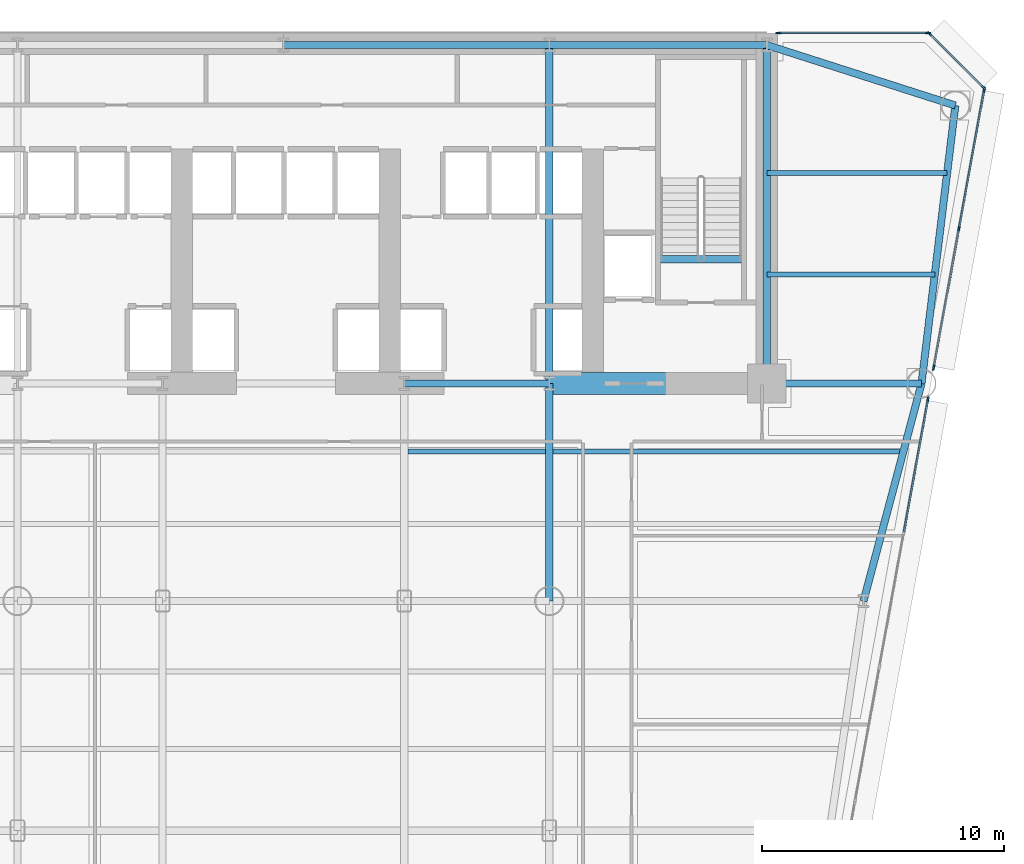
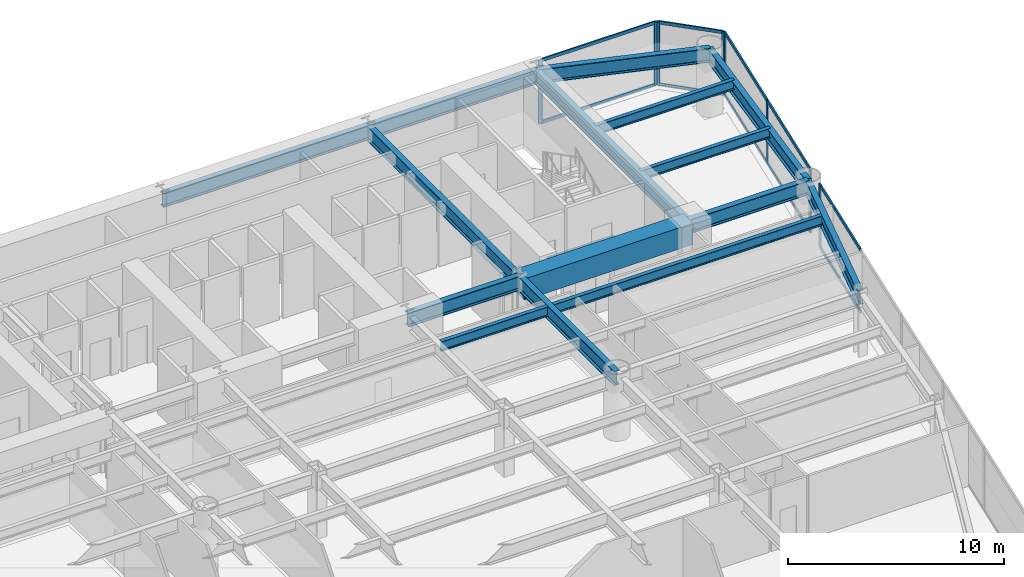
# One storey, part 6 of 14: 18 members, 16 beams, 4 elements without a shape of their own.
"""IFC4 building model written with IfcOpenShell, lengths in metres."""

import ifcopenshell
import ifcopenshell.guid

model = None  # the IFC model being written
_history = None  # IfcOwnerHistory: only IFC2X3 demands one
_inside = {}  # id of a spatial element -> (the spatial element, [elements in it])
_under = {}  # id of a project, library or spatial element -> (it, [spatial elements below it])
_declared = {}  # id of a project -> (the project, [libraries it declares])
_typed = {}  # id of a type object -> (the type object, [elements of that type])
_made_of = {}  # id of a material, layer set ... -> (it, [elements and type objects made of it])


def new_model(schema):
    """Start an empty IFC model of exactly this schema.

    Asked for "IFC4X3", IfcOpenShell would pick the latest addendum, in which some entities
    have other attributes; the version numbers below select the first issue.
    IFC2X3 requires an IfcOwnerHistory on every rooted entity: one is made here for all.
    """
    global model, _history
    if schema == "IFC4X3":
        model = ifcopenshell.file(schema_version=(4, 3, 0, 0))
    else:
        model = ifcopenshell.file(schema=schema)
    _inside.clear()
    _under.clear()
    _declared.clear()
    _typed.clear()
    _made_of.clear()
    _history = None
    if model.schema == "IFC2X3":
        org = make("IfcOrganization", Name="unknown")
        user = make(
            "IfcPersonAndOrganization",
            ThePerson=make("IfcPerson", FamilyName="unknown"),
            TheOrganization=org,
        )
        app = make(
            "IfcApplication",
            ApplicationDeveloper=org,
            Version="unknown",
            ApplicationFullName="unknown",
            ApplicationIdentifier="unknown",
        )
        _history = make(
            "IfcOwnerHistory",
            OwningUser=user,
            OwningApplication=app,
            ChangeAction="ADDED",
            CreationDate=0,
        )
    return model


def make(cls, **values):
    """One entity of the class cls with the attributes given. An attribute that is None is left unset."""
    return model.create_entity(
        cls, **{name: value for name, value in values.items() if value is not None}
    )


def rooted(cls, **values):
    """An entity with a GlobalId (a new one), such as an element, a storey or a relation."""
    return make(cls, GlobalId=ifcopenshell.guid.new(), OwnerHistory=_history, **values)


def si_unit(unit_type, name, prefix=None):
    """IfcSIUnit, for example si_unit("LENGTHUNIT", "METRE", prefix="MILLI")."""
    return make("IfcSIUnit", UnitType=unit_type, Prefix=prefix, Name=name)


def assignment(units):
    """IfcUnitAssignment: the units of a project."""
    return None if units is None else make("IfcUnitAssignment", Units=units)


def point(xyz):
    """IfcCartesianPoint."""
    return None if xyz is None else make("IfcCartesianPoint", Coordinates=xyz)


def direction(xyz):
    """IfcDirection."""
    return None if xyz is None else make("IfcDirection", DirectionRatios=xyz)


def frame(location, z_axis=None, x_axis=None):
    """IfcAxis2Placement3D, a coordinate frame: its origin and axes. An axis left out is left unset."""
    return make(
        "IfcAxis2Placement3D",
        Location=point(location),
        Axis=direction(z_axis),
        RefDirection=direction(x_axis),
    )


def frame_2d(location, x_axis=None):
    """IfcAxis2Placement2D, a coordinate frame in the plane: its origin and x axis."""
    return make(
        "IfcAxis2Placement2D", Location=point(location), RefDirection=direction(x_axis)
    )


def origin():
    """The frame at (0, 0, 0) with its axes left unset."""
    return frame((0.0, 0.0, 0.0))


def origin_2d():
    """The frame at (0, 0) in the plane with its x axis left unset."""
    return frame_2d((0.0, 0.0))


def place(relative_to, where):
    """IfcLocalPlacement: puts the frame where relative to a parent placement (None: the world)."""
    return make(
        "IfcLocalPlacement", PlacementRelTo=relative_to, RelativePlacement=where
    )


def context(
    kind, dimensions, precision=None, world=None, true_north=None, identifier=None
):
    """IfcGeometricRepresentationContext, for example the 3D "Model" context."""
    return make(
        "IfcGeometricRepresentationContext",
        ContextIdentifier=identifier,
        ContextType=kind,
        CoordinateSpaceDimension=dimensions,
        Precision=precision,
        WorldCoordinateSystem=world,
        TrueNorth=true_north,
    )


def subcontext(parent, identifier, kind, view, scale=None):
    """IfcGeometricRepresentationSubContext, for example "Body" below "Model"."""
    return make(
        "IfcGeometricRepresentationSubContext",
        ContextIdentifier=identifier,
        ContextType=kind,
        ParentContext=parent,
        TargetScale=scale,
        TargetView=view,
    )


def project(units=None, contexts=None):
    """IfcProject with its units and contexts."""
    return rooted(
        "IfcProject",
        Name="project",
        RepresentationContexts=contexts,
        UnitsInContext=assignment(units),
    )


def spatial(cls, under=None, at=None, **own):
    """A site, building, storey or space (cls), placed at a placement, below another one or the project."""
    s = rooted(cls, ObjectPlacement=at, **own)
    if under is not None:
        _under.setdefault(under.id(), (under, []))[1].append(s)
    return s


def profile(cls, at=None, kind="AREA", **sizes):
    """A parametric profile (cls). Its sizes go by their IFC names, for example OverallWidth=200.0."""
    return make(cls, ProfileType=kind, Position=at, **sizes)


def rectangle(**sizes):
    """IfcRectangleProfileDef."""
    return profile("IfcRectangleProfileDef", **sizes)


def i_section(**sizes):
    """IfcIShapeProfileDef."""
    return profile("IfcIShapeProfileDef", **sizes)


def extrude(swept, where, along, depth):
    """IfcExtrudedAreaSolid: the profile swept, set in the frame where, extruded along a direction by depth."""
    return make(
        "IfcExtrudedAreaSolid",
        SweptArea=swept,
        Position=where,
        ExtrudedDirection=direction(along),
        Depth=depth,
    )


def shape(context_of_items, identifier, shape_type, items):
    """IfcShapeRepresentation: the items that make up one representation, for example the "Body"."""
    return make(
        "IfcShapeRepresentation",
        ContextOfItems=context_of_items,
        RepresentationIdentifier=identifier,
        RepresentationType=shape_type,
        Items=items,
    )


def source(mapping_origin, context_of_items, identifier, shape_type, items):
    """IfcRepresentationMap: a shape defined once, which mapped items show again and again."""
    return make(
        "IfcRepresentationMap",
        MappingOrigin=mapping_origin,
        MappedRepresentation=shape(context_of_items, identifier, shape_type, items),
    )


def transform(
    local_origin,
    x_axis=None,
    y_axis=None,
    z_axis=None,
    scale=None,
    scale2=None,
    scale3=None,
    uniform=True,
):
    """IfcCartesianTransformationOperator3D, or its non-uniform kind. x_axis, y_axis, z_axis: its Axis1, 2, 3."""
    if uniform:
        return make(
            "IfcCartesianTransformationOperator3D",
            Axis1=direction(x_axis),
            Axis2=direction(y_axis),
            LocalOrigin=point(local_origin),
            Scale=scale,
            Axis3=direction(z_axis),
        )
    return make(
        "IfcCartesianTransformationOperator3DnonUniform",
        Axis1=direction(x_axis),
        Axis2=direction(y_axis),
        LocalOrigin=point(local_origin),
        Scale=scale,
        Axis3=direction(z_axis),
        Scale2=scale2,
        Scale3=scale3,
    )


def mapped(mapping_source, mapping_target):
    """IfcMappedItem: shows the shape of a source again, moved by a transform."""
    return make(
        "IfcMappedItem", MappingSource=mapping_source, MappingTarget=mapping_target
    )


def material(Name=None, Category=None):
    """IfcMaterial."""
    return make("IfcMaterial", Name=Name, Category=Category)


def layer(
    of_material, thickness, ventilated=None, Name=None, Category=None, Priority=None
):
    """IfcMaterialLayer: one layer of a wall or slab, of a material (None: an air gap)."""
    return make(
        "IfcMaterialLayer",
        Material=of_material,
        LayerThickness=thickness,
        IsVentilated=ventilated,
        Name=Name,
        Category=Category,
        Priority=Priority,
    )


def layer_set(layers, Name=None):
    """IfcMaterialLayerSet."""
    return make("IfcMaterialLayerSet", MaterialLayers=layers, LayerSetName=Name)


def material_profile(
    of_material, cross_section, Name=None, Category=None, Priority=None
):
    """IfcMaterialProfile: a cross section and its material."""
    return make(
        "IfcMaterialProfile",
        Name=Name,
        Material=of_material,
        Profile=cross_section,
        Priority=Priority,
        Category=Category,
    )


def profile_set(profiles, Name=None, composite=None):
    """IfcMaterialProfileSet."""
    return make(
        "IfcMaterialProfileSet",
        Name=Name,
        MaterialProfiles=profiles,
        CompositeProfile=composite,
    )


def made_of(thing, what):
    """Note that an element or type object is made of a material, layer set ...; save() writes the relation."""
    if what is not None:
        _made_of.setdefault(what.id(), (what, []))[1].append(thing)
    return thing


def type_object(cls, material=None, **own):
    """A type object (cls), such as IfcWallType, which elements share."""
    return made_of(rooted(cls, **own), material)


def element(
    cls,
    number,
    at=None,
    inside=None,
    cuts=None,
    type_object=None,
    material=None,
    context=None,
    identifier="Body",
    shape_type=None,
    held_by="IfcProductDefinitionShape",
    body=None,
    shapes=None,
    **own,
):
    """One element of the class cls, such as IfcWall. Its Tag is "e" and its number.

    at: its placement. inside: the storey or other place that contains it. cuts: it is an
    opening in that element (IfcRelVoidsElement). A single representation is given by context,
    identifier, shape_type and body (its items); several are given by shapes. held_by: the class
    of the entity that holds the representations. save() writes the other relations.
    """
    e = rooted(cls, Tag="e%d" % number, ObjectPlacement=at, **own)
    if body is not None:
        shapes = [shape(context, identifier, shape_type, body)]
    if shapes is not None:
        e.Representation = make(held_by, Representations=shapes)
    if inside is not None:
        _inside.setdefault(inside.id(), (inside, []))[1].append(e)
    if cuts is not None:
        rooted(
            "IfcRelVoidsElement", RelatingBuildingElement=cuts, RelatedOpeningElement=e
        )
    if type_object is not None:
        _typed.setdefault(type_object.id(), (type_object, []))[1].append(e)
    return made_of(e, material)


def aggregate(whole, parts):
    """IfcRelAggregates: a whole, such as a stair, and the parts it consists of."""
    return rooted("IfcRelAggregates", RelatingObject=whole, RelatedObjects=parts)


def save(model, path):
    """Write the relations noted so far, then the file.

    IfcRelAggregates (storeys below a building ...), IfcRelContainedInSpatialStructure (elements
    in a storey), IfcRelDefinesByType, IfcRelAssociatesMaterial and IfcRelDeclares: one each for
    every whole, place, type object, material and project.
    """
    for whole, parts in _under.values():
        aggregate(whole, parts)
    for where, things in _inside.values():
        rooted(
            "IfcRelContainedInSpatialStructure",
            RelatedElements=things,
            RelatingStructure=where,
        )
    for kind, things in _typed.values():
        rooted("IfcRelDefinesByType", RelatedObjects=things, RelatingType=kind)
    for what, things in _made_of.values():
        rooted("IfcRelAssociatesMaterial", RelatedObjects=things, RelatingMaterial=what)
    for by, libraries in _declared.values():
        rooted("IfcRelDeclares", RelatingContext=by, RelatedDefinitions=libraries)
    model.write(path)


model = new_model("IFC4")

# Units and contexts
model_context = context("Model", 3, precision=1e-05, world=origin(), true_north=direction((0.0, 1.0)))
body_context = subcontext(model_context, "Body", "Model", "MODEL_VIEW")
ifc_project = project(units=[si_unit("LENGTHUNIT", "METRE"), si_unit("AREAUNIT", "SQUARE_METRE"), si_unit("VOLUMEUNIT", "CUBIC_METRE"), si_unit("PLANEANGLEUNIT", "RADIAN"), si_unit("MASSUNIT", "GRAM", prefix="KILO")], contexts=[model_context])

# Site, building, storey
site_placement = place(None, origin())
site = spatial("IfcSite", under=ifc_project, at=site_placement, CompositionType="ELEMENT")
building_placement = place(site_placement, origin())
building = spatial("IfcBuilding", under=site, at=building_placement, Name="Vaeldorn Concourse Tower", CompositionType="ELEMENT")
storey_placement = place(building_placement, frame((0.0, 0.0, 22.60009765625)))
storey = spatial("IfcBuildingStorey", under=building, at=storey_placement, Name="L05", CompositionType="ELEMENT", Elevation=22.60009765625)

# Beams
ifc_material_1 = material(Name="Concrete C60/75", Category="concrete")
ifc_material_profile_1 = material_profile(ifc_material_1, rectangle(XDim=0.89990234375, YDim=1.199951171875, at=origin_2d()), Name="RC 900x1200")
ifc_profile_set_1 = profile_set([ifc_material_profile_1], Name="Concrete C60/75")
beam_type_1 = type_object("IfcBeamType", Name="BM-CB-RC900", PredefinedType="BEAM", material=ifc_profile_set_1)
shared_shape_1 = source(origin(), body_context, "Body", "SweptSolid", [
    extrude(rectangle(XDim=0.89990234375, YDim=1.199951171875, at=origin_2d()), origin(), (0.0, 0.0, 1.0), 9.0),
])
beam_1_placement = place(storey_placement, frame((45.0, 36.5, 2.97998046875), z_axis=(1.0, 0.0, 0.0), x_axis=(0.0, 1.0, 0.0)))
element("IfcBeam", 1, at=beam_1_placement, inside=storey, type_object=beam_type_1, Name="Core Coupling Beam L05-2", PredefinedType="BEAM", context=body_context, shape_type="MappedRepresentation", body=[
    mapped(shared_shape_1, transform((0.0, 0.0, 0.0), scale=1.0)),
])
ifc_material_2 = material(Name="Steel S355", Category="steel")
ifc_material_profile_2 = material_profile(ifc_material_2, i_section(OverallWidth=0.300048828125, OverallDepth=0.340087890625, WebThickness=0.011962890625, FlangeThickness=0.021484375, FilletRadius=0.027099609375, at=origin_2d()), Name="HEB 340")
ifc_profile_set_2 = profile_set([ifc_material_profile_2], Name="Steel S355")
beam_type_2 = type_object("IfcBeamType", Name="BM-ST-TRIM", PredefinedType="BEAM", material=ifc_profile_set_2)
shared_shape_2 = source(origin(), body_context, "Body", "SweptSolid", [
    extrude(i_section(OverallWidth=0.300048828125, OverallDepth=0.340087890625, WebThickness=0.011962890625, FlangeThickness=0.021484375, FilletRadius=0.027099609375, at=origin_2d()), origin(), (0.0, 0.0, 1.0), 3.590087890625),
])
beam_2_placement = place(storey_placement, frame((49.47998046875, 41.639892578125, -0.39013671875), z_axis=(1.0, 0.0, 0.0), x_axis=(0.0, 1.0, 0.0)))
element("IfcBeam", 2, at=beam_2_placement, inside=storey, type_object=beam_type_2, Name="Stair Landing Trimmer Beam ST-2 L05", PredefinedType="BEAM", context=body_context, shape_type="MappedRepresentation", body=[
    mapped(shared_shape_2, transform((0.0, 0.0, 0.0), scale=1.0)),
])
ifc_material_profile_3 = material_profile(ifc_material_2, i_section(OverallWidth=0.300048828125, OverallDepth=0.800048828125, WebThickness=0.017578125, FlangeThickness=0.032958984375, FilletRadius=0.030029296875, at=origin_2d()), Name="HEB 800")
ifc_profile_set_3 = profile_set([ifc_material_profile_3], Name="Steel S355")
beam_type_3 = type_object("IfcBeamType", Name="BM-PG-HEB800", PredefinedType="BEAM", material=ifc_profile_set_3)
shared_shape_3 = source(origin(), body_context, "Body", "SweptSolid", [
    extrude(i_section(OverallWidth=0.300048828125, OverallDepth=0.800048828125, WebThickness=0.017578125, FlangeThickness=0.032958984375, FilletRadius=0.030029296875, at=origin_2d()), origin(), (0.0, 0.0, 1.0), 6.0),
])
beam_3_placement = place(storey_placement, frame((39.0, 36.5, 3.179931640625), z_axis=(1.0, 0.0, 0.0), x_axis=(0.0, 1.0, 0.0)))
element("IfcBeam", 3, at=beam_3_placement, inside=storey, type_object=beam_type_3, Name="Beam BM-L05-C-FC4-C-FC5", PredefinedType="BEAM", context=body_context, shape_type="MappedRepresentation", body=[
    mapped(shared_shape_3, transform((0.0, 0.0, 0.0), scale=1.0)),
])
shared_shape_4 = source(origin(), body_context, "Body", "SweptSolid", [
    extrude(i_section(OverallWidth=0.300048828125, OverallDepth=0.800048828125, WebThickness=0.017578125, FlangeThickness=0.032958984375, FilletRadius=0.030029296875, at=origin_2d()), origin(), (0.0, 0.0, 1.0), 9.0),
])
for number, where, z_axis, x_axis, name in (
    (4, (45.0, 50.5, 3.179931640625), (1.0, 0.0, 0.0), (0.0, 1.0, 0.0), "Beam BM-L05-C-HC4-C-HC5"),
    (5, (45.0, 27.5, 3.179931640625), (0.0, 1.0, 0.0), (-1.0, 0.0, 0.0), "Beam BM-L05-C-TW4-C-FC5"),
):
    element("IfcBeam", number, at=place(storey_placement, frame(where, z_axis=z_axis, x_axis=x_axis)), inside=storey, type_object=beam_type_3, Name=name, PredefinedType="BEAM", context=body_context, shape_type="MappedRepresentation", body=[
        mapped(shared_shape_4, transform((0.0, 0.0, 0.0), scale=1.0)),
    ])
shared_shape_5 = source(origin(), body_context, "Body", "SweptSolid", [
    extrude(i_section(OverallWidth=0.300048828125, OverallDepth=0.800048828125, WebThickness=0.017578125, FlangeThickness=0.032958984375, FilletRadius=0.030029296875, at=origin_2d()), origin(), (0.0, 0.0, 1.0), 11.0),
])
beam_4_placement = place(storey_placement, frame((34.0, 50.5, 3.179931640625), z_axis=(1.0, 0.0, 0.0), x_axis=(0.0, 1.0, 0.0)))
element("IfcBeam", 6, at=beam_4_placement, inside=storey, type_object=beam_type_3, Name="Beam BM-L05-C-HC3-C-HC4", PredefinedType="BEAM", context=body_context, shape_type="MappedRepresentation", body=[
    mapped(shared_shape_5, transform((0.0, 0.0, 0.0), scale=1.0)),
])
shared_shape_6 = source(origin(), body_context, "Body", "SweptSolid", [
    extrude(i_section(OverallWidth=0.300048828125, OverallDepth=0.800048828125, WebThickness=0.017578125, FlangeThickness=0.032958984375, FilletRadius=0.030029296875, at=origin_2d()), origin(), (0.0, 0.0, 1.0), 14.0),
])
for number, where, z_axis, x_axis, name in (
    (7, (45.0, 36.5, 3.179931640625), (0.0, 1.0, 0.0), (-1.0, 0.0, 0.0), "Beam BM-L05-C-FC5-C-HC4"),
    (8, (54.0, 36.5, 3.179931640625), (0.0, 1.0, 0.0), (-1.0, 0.0, 0.0), "Beam BM-L05-C-FC6-C-HC5"),
):
    element("IfcBeam", number, at=place(storey_placement, frame(where, z_axis=z_axis, x_axis=x_axis)), inside=storey, type_object=beam_type_3, Name=name, PredefinedType="BEAM", context=body_context, shape_type="MappedRepresentation", body=[
        mapped(shared_shape_6, transform((0.0, 0.0, 0.0), scale=1.0)),
    ])
shared_shape_7 = source(origin(), body_context, "Body", "SweptSolid", [
    extrude(i_section(OverallWidth=0.300048828125, OverallDepth=0.800048828125, WebThickness=0.017578125, FlangeThickness=0.032958984375, FilletRadius=0.030029296875, at=origin_2d()), origin(), (0.0, 0.0, 1.0), 8.19091796875),
])
beam_5_placement = place(storey_placement, frame((54.0, 50.5, 3.179931640625), z_axis=(0.952282843383, -0.305216949396, 0.0), x_axis=(0.305216949396, 0.952282843383, 0.0)))
element("IfcBeam", 9, at=beam_5_placement, inside=storey, type_object=beam_type_3, Name="Beam BM-L05-C-HC5-C-NE1", PredefinedType="BEAM", context=body_context, shape_type="MappedRepresentation", body=[
    mapped(shared_shape_7, transform((0.0, 0.0, 0.0), scale=1.0)),
])
shared_shape_8 = source(origin(), body_context, "Body", "SweptSolid", [
    extrude(i_section(OverallWidth=0.300048828125, OverallDepth=0.800048828125, WebThickness=0.017578125, FlangeThickness=0.032958984375, FilletRadius=0.030029296875, at=origin_2d()), origin(), (0.0, 0.0, 1.0), 11.5849609375),
])
beam_6_placement = place(storey_placement, frame((61.800048828125, 48.0, 3.179931640625), z_axis=(-0.120859382899, -0.992669637677, 0.0), x_axis=(0.992669637677, -0.120859382899, 0.0)))
element("IfcBeam", 10, at=beam_6_placement, inside=storey, type_object=beam_type_3, Name="Beam BM-L05-C-NE1-C-NE2", PredefinedType="BEAM", context=body_context, shape_type="MappedRepresentation", body=[
    mapped(shared_shape_8, transform((0.0, 0.0, 0.0), scale=1.0)),
])
shared_shape_9 = source(origin(), body_context, "Body", "SweptSolid", [
    extrude(i_section(OverallWidth=0.300048828125, OverallDepth=0.800048828125, WebThickness=0.017578125, FlangeThickness=0.032958984375, FilletRadius=0.030029296875, at=origin_2d()), origin(), (0.0, 0.0, 1.0), 6.39990234375),
])
beam_7_placement = place(storey_placement, frame((54.0, 36.5, 3.179931640625), z_axis=(1.0, 0.0, 0.0), x_axis=(0.0, 1.0, 0.0)))
element("IfcBeam", 11, at=beam_7_placement, inside=storey, type_object=beam_type_3, Name="Beam BM-L05-C-FC6-C-NE2", PredefinedType="BEAM", context=body_context, shape_type="MappedRepresentation", body=[
    mapped(shared_shape_9, transform((0.0, 0.0, 0.0), scale=1.0)),
])
shared_shape_10 = source(origin(), body_context, "Body", "SweptSolid", [
    extrude(i_section(OverallWidth=0.300048828125, OverallDepth=0.800048828125, WebThickness=0.017578125, FlangeThickness=0.032958984375, FilletRadius=0.030029296875, at=origin_2d()), origin(), (0.0, 0.0, 1.0), 9.314453125),
])
beam_8_placement = place(storey_placement, frame((60.39990234375, 36.5, 3.179931640625), z_axis=(-0.257652862255, -0.966237549763, 0.0), x_axis=(0.966237549763, -0.257652862255, 0.0)))
element("IfcBeam", 12, at=beam_8_placement, inside=storey, type_object=beam_type_3, Name="Beam BM-L05-C-NE2-C-FLE1", PredefinedType="BEAM", context=body_context, shape_type="MappedRepresentation", body=[
    mapped(shared_shape_10, transform((0.0, 0.0, 0.0), scale=1.0)),
])
ifc_material_profile_4 = material_profile(ifc_material_2, i_section(OverallWidth=0.2099609375, OverallDepth=0.550048828125, WebThickness=0.010986328125, FlangeThickness=0.01708984375, FilletRadius=0.02392578125, at=origin_2d()), Name="IPE 550")
ifc_profile_set_4 = profile_set([ifc_material_profile_4], Name="Steel S355")
beam_type_4 = type_object("IfcBeamType", Name="BM-JS-IPE550", PredefinedType="JOIST", material=ifc_profile_set_4)
shared_shape_11 = source(origin(), body_context, "Body", "SweptSolid", [
    extrude(i_section(OverallWidth=0.2099609375, OverallDepth=0.550048828125, WebThickness=0.010986328125, FlangeThickness=0.01708984375, FilletRadius=0.02392578125, at=origin_2d()), origin(), (0.0, 0.0, 1.0), 5.7001953125),
])
beam_9_placement = place(storey_placement, frame((39.14990234375, 33.679931640625, 3.304931640625), z_axis=(1.0, 0.0, 0.0), x_axis=(0.0, 1.0, 0.0)))
element("IfcBeam", 13, at=beam_9_placement, inside=storey, type_object=beam_type_4, Name="Beam JS-L05-E2-336", PredefinedType="JOIST", context=body_context, shape_type="MappedRepresentation", body=[
    mapped(shared_shape_11, transform((0.0, 0.0, 0.0), scale=1.0)),
])
shared_shape_12 = source(origin(), body_context, "Body", "SweptSolid", [
    extrude(i_section(OverallWidth=0.2099609375, OverallDepth=0.550048828125, WebThickness=0.010986328125, FlangeThickness=0.01708984375, FilletRadius=0.02392578125, at=origin_2d()), origin(), (0.0, 0.0, 1.0), 6.94775390625),
])
beam_10_placement = place(storey_placement, frame((54.0, 41.0, 3.304931640625), z_axis=(1.0, 0.0, 0.0), x_axis=(0.0, 1.0, 0.0)))
element("IfcBeam", 14, at=beam_10_placement, inside=storey, type_object=beam_type_4, Name="Beam JS-L05-NE-410", PredefinedType="JOIST", context=body_context, shape_type="MappedRepresentation", body=[
    mapped(shared_shape_12, transform((0.0, 0.0, 0.0), scale=1.0)),
])
shared_shape_13 = source(origin(), body_context, "Body", "SweptSolid", [
    extrude(i_section(OverallWidth=0.2099609375, OverallDepth=0.550048828125, WebThickness=0.010986328125, FlangeThickness=0.01708984375, FilletRadius=0.02392578125, at=origin_2d()), origin(), (0.0, 0.0, 1.0), 7.458984375),
])
beam_11_placement = place(storey_placement, frame((54.0, 45.199951171875, 3.304931640625), z_axis=(1.0, 0.0, 0.0), x_axis=(0.0, 1.0, 0.0)))
element("IfcBeam", 15, at=beam_11_placement, inside=storey, type_object=beam_type_4, Name="Beam JS-L05-NE-452", PredefinedType="JOIST", context=body_context, shape_type="MappedRepresentation", body=[
    mapped(shared_shape_13, transform((0.0, 0.0, 0.0), scale=1.0)),
])
shared_shape_14 = source(origin(), body_context, "Body", "SweptSolid", [
    extrude(i_section(OverallWidth=0.2099609375, OverallDepth=0.550048828125, WebThickness=0.010986328125, FlangeThickness=0.01708984375, FilletRadius=0.02392578125, at=origin_2d()), origin(), (0.0, 0.0, 1.0), 14.34814453125),
])
beam_12_placement = place(storey_placement, frame((45.14990234375, 33.679931640625, 3.304931640625), z_axis=(1.0, 0.0, 0.0), x_axis=(0.0, 1.0, 0.0)))
element("IfcBeam", 16, at=beam_12_placement, inside=storey, type_object=beam_type_4, Name="Beam JS-L05-E1-336", PredefinedType="JOIST", context=body_context, shape_type="MappedRepresentation", body=[
    mapped(shared_shape_14, transform((0.0, 0.0, 0.0), scale=1.0)),
])

# Curtain wall, member
ifc_material_3 = material(Name="Anodised Bronze Aluminium", Category="aluminium")
ifc_layer = layer(ifc_material_3, 0.219970703125)
ifc_layer_set = layer_set([ifc_layer], Name="Anodised Bronze Aluminium")
curtain_wall_type = type_object("IfcCurtainWallType", Name="CW-SYS-01", PredefinedType="NOTDEFINED", material=ifc_layer_set)
curtain_wall_1_placement = place(storey_placement, origin())
curtain_wall_1 = element("IfcCurtainWall", 17, at=curtain_wall_1_placement, inside=storey, type_object=curtain_wall_type, Name="Unitised Curtain Wall CW-L05-E07-1", PredefinedType="NOTDEFINED")
ifc_material_profile_5 = material_profile(ifc_material_3, rectangle(XDim=0.074951171875, YDim=0.219970703125, at=origin_2d()), Name="CWM 75x220")
ifc_profile_set_5 = profile_set([ifc_material_profile_5], Name="Anodised Bronze Aluminium")
member_type_1 = type_object("IfcMemberType", Name="CWM-BRONZE-220", PredefinedType="MULLION", material=ifc_profile_set_5)
shared_shape_15 = source(origin(), body_context, "Body", "SweptSolid", [
    extrude(rectangle(XDim=0.074951171875, YDim=0.219970703125, at=origin_2d()), origin(), (0.0, 0.0, 1.0), 3.579833984375),
])
member_1_placement = place(storey_placement, frame((60.667236328125, 35.843505859375, 0.0), z_axis=(0.0, 0.0, 1.0), x_axis=(-0.983935146293, 0.178526266665, 0.0)))
member_1 = element("IfcMember", 18, at=member_1_placement, type_object=member_type_1, Name="CW-01 mullion 7", PredefinedType="MULLION", context=body_context, shape_type="MappedRepresentation", body=[
    mapped(shared_shape_15, transform((0.0, 0.0, 0.0), scale=1.0)),
])

# Curtain wall, members
curtain_wall_2_placement = place(storey_placement, origin())
curtain_wall_2 = element("IfcCurtainWall", 19, at=curtain_wall_2_placement, inside=storey, type_object=curtain_wall_type, Name="Unitised Curtain Wall CW-L05-E07-2", PredefinedType="NOTDEFINED")
member_2_placement = place(storey_placement, frame((60.905517578125, 37.156494140625, 0.0), z_axis=(0.0, 0.0, 1.0), x_axis=(-0.983934826263, 0.178528030477, 0.0)))
member_2 = element("IfcMember", 20, at=member_2_placement, type_object=member_type_1, Name="CW-01 mullion 1", PredefinedType="MULLION", context=body_context, shape_type="MappedRepresentation", body=[
    mapped(shared_shape_15, transform((0.0, 0.0, 0.0), scale=1.0)),
])
member_3_placement = place(storey_placement, frame((61.949462890625, 42.90966796875, 0.0), z_axis=(0.0, 0.0, 1.0), x_axis=(-0.983934826263, 0.178528030477, 0.0)))
member_3 = element("IfcMember", 21, at=member_3_placement, type_object=member_type_1, Name="CW-01 mullion 2", PredefinedType="MULLION", context=body_context, shape_type="MappedRepresentation", body=[
    mapped(shared_shape_15, transform((0.0, 0.0, 0.0), scale=1.0)),
])
member_4_placement = place(storey_placement, frame((62.993408203125, 48.6630859375, 0.0), z_axis=(0.0, 0.0, 1.0), x_axis=(-0.983934826263, 0.178528030477, 0.0)))
member_4 = element("IfcMember", 22, at=member_4_placement, type_object=member_type_1, Name="CW-01 mullion 3", PredefinedType="MULLION", context=body_context, shape_type="MappedRepresentation", body=[
    mapped(shared_shape_15, transform((0.0, 0.0, 0.0), scale=1.0)),
])

curtain_wall_3_placement = place(storey_placement, origin())
curtain_wall_3 = element("IfcCurtainWall", 23, at=curtain_wall_3_placement, inside=storey, type_object=curtain_wall_type, Name="Unitised Curtain Wall CW-L05-E08-1", PredefinedType="NOTDEFINED")
member_5_placement = place(storey_placement, frame((62.973388671875, 48.7265625, 0.0), z_axis=(0.0, 0.0, 1.0), x_axis=(-0.707106781187, -0.707106781187, 0.0)))
member_5 = element("IfcMember", 24, at=member_5_placement, type_object=member_type_1, Name="CW-01 mullion 1", PredefinedType="MULLION", context=body_context, shape_type="MappedRepresentation", body=[
    mapped(shared_shape_15, transform((0.0, 0.0, 0.0), scale=1.0)),
])
member_6_placement = place(storey_placement, frame((60.7265625, 50.973388671875, 0.0), z_axis=(0.0, 0.0, 1.0), x_axis=(-0.707106781187, -0.707106781187, 0.0)))
member_6 = element("IfcMember", 25, at=member_6_placement, type_object=member_type_1, Name="CW-01 mullion 2", PredefinedType="MULLION", context=body_context, shape_type="MappedRepresentation", body=[
    mapped(shared_shape_15, transform((0.0, 0.0, 0.0), scale=1.0)),
])

curtain_wall_4_placement = place(storey_placement, origin())
curtain_wall_4 = element("IfcCurtainWall", 26, at=curtain_wall_4_placement, inside=storey, type_object=curtain_wall_type, Name="Unitised Curtain Wall CW-L05-E09-1", PredefinedType="NOTDEFINED")
member_7_placement = place(storey_placement, frame((60.66259765625, 51.0, 0.0), z_axis=(0.0, 0.0, 1.0), x_axis=(0.0, -1.0, 0.0)))
member_7 = element("IfcMember", 27, at=member_7_placement, type_object=member_type_1, Name="CW-01 mullion 1", PredefinedType="MULLION", context=body_context, shape_type="MappedRepresentation", body=[
    mapped(shared_shape_15, transform((0.0, 0.0, 0.0), scale=1.0)),
])
member_8_placement = place(storey_placement, frame((54.482421875, 51.0, 0.0), z_axis=(0.0, 0.0, 1.0), x_axis=(0.0, -1.0, 0.0)))
member_8 = element("IfcMember", 28, at=member_8_placement, type_object=member_type_1, Name="CW-01 mullion 2", PredefinedType="MULLION", context=body_context, shape_type="MappedRepresentation", body=[
    mapped(shared_shape_15, transform((0.0, 0.0, 0.0), scale=1.0)),
])

# Member
ifc_material_profile_6 = material_profile(ifc_material_3, rectangle(XDim=0.074951171875, YDim=0.179931640625, at=origin_2d()), Name="CWT 75x180")
ifc_profile_set_6 = profile_set([ifc_material_profile_6], Name="Anodised Bronze Aluminium")
member_type_2 = type_object("IfcMemberType", Name="CWT-BRONZE-180", PredefinedType="USERDEFINED", material=ifc_profile_set_6)
shared_shape_16 = source(origin(), body_context, "Body", "SweptSolid", [
    extrude(rectangle(XDim=0.074951171875, YDim=0.179931640625, at=origin_2d()), origin(), (0.0, 0.0, 1.0), 5.772216796875),
])
member_9_placement = place(storey_placement, frame((60.912109375, 37.193359375, 0.037353515625), z_axis=(0.178531831265, 0.98393413663, 0.0), x_axis=(-0.98393413663, 0.178531831265, 0.0)))
member_9 = element("IfcMember", 29, at=member_9_placement, type_object=member_type_2, Name="CW-01 transom 1.1", ObjectType="TRANSOM", PredefinedType="USERDEFINED", context=body_context, shape_type="MappedRepresentation", body=[
    mapped(shared_shape_16, transform((0.0, 0.0, 0.0), scale=1.0)),
])

member_10_placement = place(storey_placement, frame((60.912109375, 37.193359375, 3.54248046875), z_axis=(0.178531831265, 0.98393413663, 0.0), x_axis=(-0.98393413663, 0.178531831265, 0.0)))
member_10 = element("IfcMember", 30, at=member_10_placement, type_object=member_type_2, Name="CW-01 transom 1.2", ObjectType="TRANSOM", PredefinedType="USERDEFINED", context=body_context, shape_type="MappedRepresentation", body=[
    mapped(shared_shape_16, transform((0.0, 0.0, 0.0), scale=1.0)),
])

shared_shape_17 = source(origin(), body_context, "Body", "SweptSolid", [
    extrude(rectangle(XDim=0.074951171875, YDim=0.179931640625, at=origin_2d()), origin(), (0.0, 0.0, 1.0), 3.10302734375),
])
member_11_placement = place(storey_placement, frame((62.947021484375, 48.7529296875, 0.037353515625), z_axis=(-0.707106781187, 0.707106781187, 0.0), x_axis=(-0.707106781187, -0.707106781187, 0.0)))
member_11 = element("IfcMember", 31, at=member_11_placement, type_object=member_type_2, Name="CW-01 transom 1.1", ObjectType="TRANSOM", PredefinedType="USERDEFINED", context=body_context, shape_type="MappedRepresentation", body=[
    mapped(shared_shape_17, transform((0.0, 0.0, 0.0), scale=1.0)),
])

member_12_placement = place(storey_placement, frame((62.947021484375, 48.7529296875, 3.54248046875), z_axis=(-0.707106781187, 0.707106781187, 0.0), x_axis=(-0.707106781187, -0.707106781187, 0.0)))
member_12 = element("IfcMember", 32, at=member_12_placement, type_object=member_type_2, Name="CW-01 transom 1.2", ObjectType="TRANSOM", PredefinedType="USERDEFINED", context=body_context, shape_type="MappedRepresentation", body=[
    mapped(shared_shape_17, transform((0.0, 0.0, 0.0), scale=1.0)),
])

aggregate(curtain_wall_3, [member_5, member_6, member_11, member_12])

shared_shape_18 = source(origin(), body_context, "Body", "SweptSolid", [
    extrude(rectangle(XDim=0.074951171875, YDim=0.179931640625, at=origin_2d()), origin(), (0.0, 0.0, 1.0), 6.10498046875),
])
member_13_placement = place(storey_placement, frame((60.625, 51.0, 0.037353515625), z_axis=(-1.0, 0.0, 0.0), x_axis=(0.0, -1.0, 0.0)))
member_13 = element("IfcMember", 33, at=member_13_placement, type_object=member_type_2, Name="CW-01 transom 1.1", ObjectType="TRANSOM", PredefinedType="USERDEFINED", context=body_context, shape_type="MappedRepresentation", body=[
    mapped(shared_shape_18, transform((0.0, 0.0, 0.0), scale=1.0)),
])

member_14_placement = place(storey_placement, frame((60.625, 51.0, 3.54248046875), z_axis=(-1.0, 0.0, 0.0), x_axis=(0.0, -1.0, 0.0)))
member_14 = element("IfcMember", 34, at=member_14_placement, type_object=member_type_2, Name="CW-01 transom 1.2", ObjectType="TRANSOM", PredefinedType="USERDEFINED", context=body_context, shape_type="MappedRepresentation", body=[
    mapped(shared_shape_18, transform((0.0, 0.0, 0.0), scale=1.0)),
])

aggregate(curtain_wall_4, [member_7, member_8, member_13, member_14])

shared_shape_19 = source(origin(), body_context, "Body", "SweptSolid", [
    extrude(rectangle(XDim=0.074951171875, YDim=0.179931640625, at=origin_2d()), origin(), (0.0, 0.0, 1.0), 5.534912109375),
])
member_15_placement = place(storey_placement, frame((59.67236328125, 30.360595703125, 0.037353515625), z_axis=(0.178551614017, 0.983930546905, 0.0), x_axis=(-0.983930546905, 0.178551614017, 0.0)))
member_15 = element("IfcMember", 35, at=member_15_placement, type_object=member_type_2, Name="CW-01 transom 6.1", ObjectType="TRANSOM", PredefinedType="USERDEFINED", context=body_context, shape_type="MappedRepresentation", body=[
    mapped(shared_shape_19, transform((0.0, 0.0, 0.0), scale=1.0)),
])

member_16_placement = place(storey_placement, frame((59.67236328125, 30.360595703125, 3.54248046875), z_axis=(0.178551614017, 0.983930546905, 0.0), x_axis=(-0.983930546905, 0.178551614017, 0.0)))
member_16 = element("IfcMember", 36, at=member_16_placement, type_object=member_type_2, Name="CW-01 transom 6.2", ObjectType="TRANSOM", PredefinedType="USERDEFINED", context=body_context, shape_type="MappedRepresentation", body=[
    mapped(shared_shape_19, transform((0.0, 0.0, 0.0), scale=1.0)),
])

aggregate(curtain_wall_1, [member_1, member_15, member_16])

shared_shape_20 = source(origin(), body_context, "Body", "SweptSolid", [
    extrude(rectangle(XDim=0.074951171875, YDim=0.179931640625, at=origin_2d()), origin(), (0.0, 0.0, 1.0), 5.7724609375),
])
member_17_placement = place(storey_placement, frame((61.9560546875, 42.946533203125, 0.037353515625), z_axis=(0.178524401686, 0.983935484675, 0.0), x_axis=(-0.983935484675, 0.178524401686, 0.0)))
member_17 = element("IfcMember", 37, at=member_17_placement, type_object=member_type_2, Name="CW-01 transom 2.1", ObjectType="TRANSOM", PredefinedType="USERDEFINED", context=body_context, shape_type="MappedRepresentation", body=[
    mapped(shared_shape_20, transform((0.0, 0.0, 0.0), scale=1.0)),
])

member_18_placement = place(storey_placement, frame((61.9560546875, 42.946533203125, 3.54248046875), z_axis=(0.178524401686, 0.983935484675, 0.0), x_axis=(-0.983935484675, 0.178524401686, 0.0)))
member_18 = element("IfcMember", 38, at=member_18_placement, type_object=member_type_2, Name="CW-01 transom 2.2", ObjectType="TRANSOM", PredefinedType="USERDEFINED", context=body_context, shape_type="MappedRepresentation", body=[
    mapped(shared_shape_20, transform((0.0, 0.0, 0.0), scale=1.0)),
])

aggregate(curtain_wall_2, [member_2, member_3, member_4, member_9, member_10, member_17, member_18])

save(model, "model.ifc")
